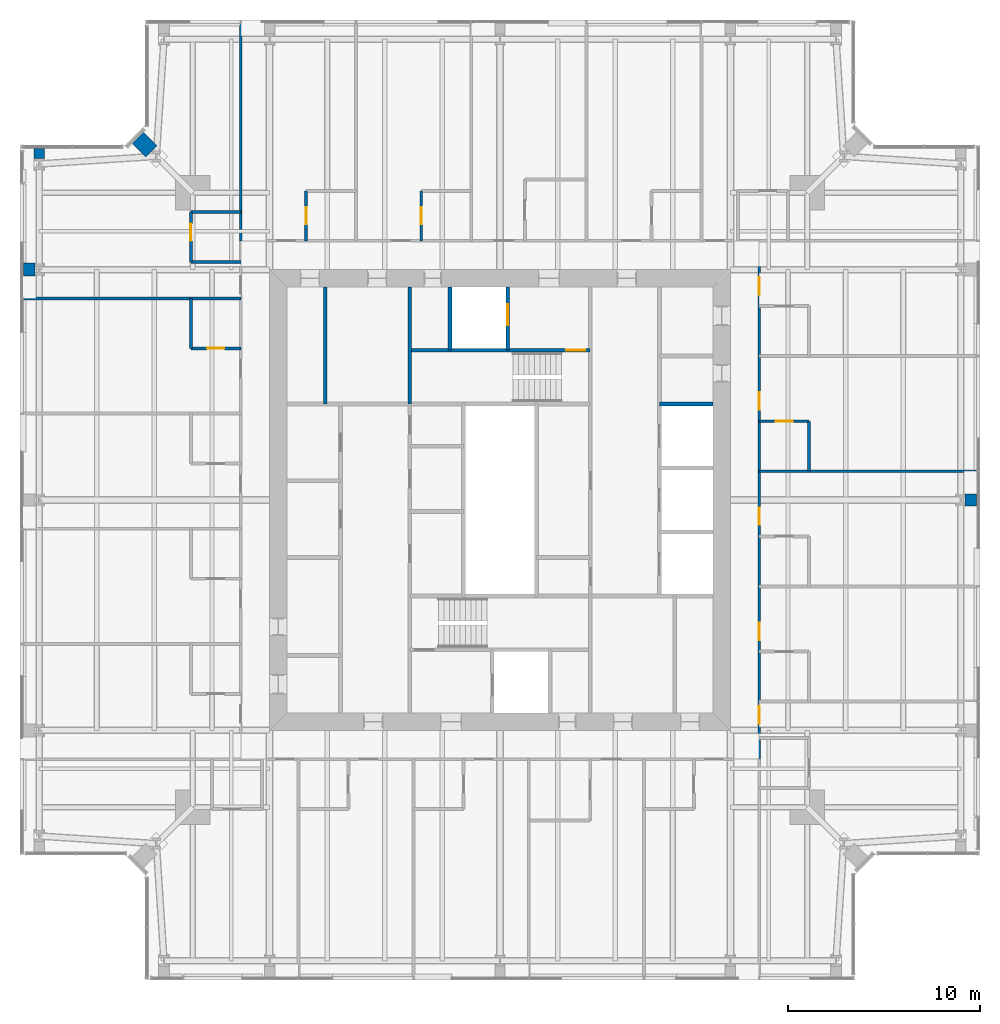
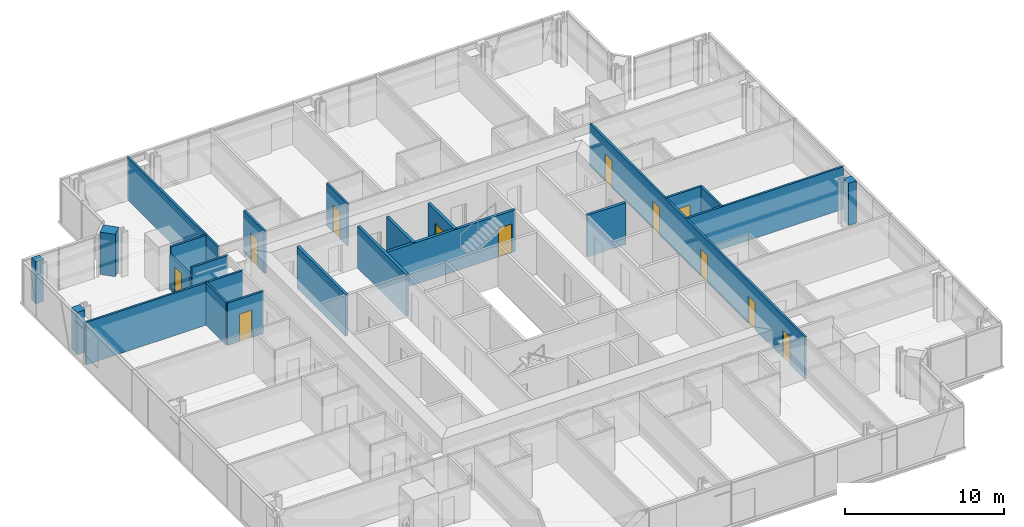
# One storey, part 14 of 20: 23 walls, 12 doors, 12 openings.
"""IFC4 building model written with IfcOpenShell, lengths in metres."""

from ifc_helpers import new_model, si_unit, direction, frame, frame_2d, origin, place, context, subcontext, project, spatial, rectangle, extrude, material, layer, layer_set, type_object, element, fill, save


model = new_model("IFC4")

# Units and contexts
model_context = context("Model", 3, precision=1e-05, world=origin(), true_north=direction((0.0, 1.0)))
body_context = subcontext(model_context, "Body", "Model", "MODEL_VIEW")
ifc_project = project(units=[si_unit("LENGTHUNIT", "METRE"), si_unit("AREAUNIT", "SQUARE_METRE"), si_unit("VOLUMEUNIT", "CUBIC_METRE"), si_unit("PLANEANGLEUNIT", "RADIAN"), si_unit("MASSUNIT", "GRAM", prefix="KILO")], contexts=[model_context])

# Site, building, storey
site_placement = place(None, origin())
site = spatial("IfcSite", under=ifc_project, at=site_placement, CompositionType="ELEMENT")
building_placement = place(site_placement, origin())
building = spatial("IfcBuilding", under=site, at=building_placement, Name="Fenwick Lantern Interchange", CompositionType="ELEMENT")
storey_placement = place(building_placement, frame((0.0, 0.0, 245.800048828125)))
storey = spatial("IfcBuildingStorey", under=building, at=storey_placement, Name="L57", CompositionType="ELEMENT", Elevation=245.800048828125)

# Walls
ifc_material_1 = material(Name="Fire-rated gypsum board encasement on steel studs, 2 hour", Category="steel")
ifc_layer_1 = layer(ifc_material_1, 0.554931640625)
ifc_layer_set_1 = layer_set([ifc_layer_1], Name="COLUMN PIER 555")
wall_type_1 = type_object("IfcWallType", Name="COLUMN PIER 555", PredefinedType="PARTITIONING", material=ifc_layer_set_1)
wall_1_placement = place(storey_placement, frame((1.0, 43.31005859375, 0.0), z_axis=(0.0, 0.0, 1.0), x_axis=(0.0, -1.0, 0.0)))
element("IfcWall", 1, at=wall_1_placement, inside=storey, type_object=wall_type_1, Name="L57/W/PIER/CW1", PredefinedType="PARTITIONING", context=body_context, shape_type="SweptSolid", body=[
    extrude(rectangle(XDim=0.525634765625, YDim=0.554931640625, at=frame_2d((0.2626953125, 0.0))), origin(), (0.0, 0.0, 1.0), 3.25),
])
ifc_layer_2 = layer(ifc_material_1, 0.631103515625)
ifc_layer_set_2 = layer_set([ifc_layer_2], Name="COLUMN PIER 631")
wall_type_2 = type_object("IfcWallType", Name="COLUMN PIER 631", PredefinedType="PARTITIONING", material=ifc_layer_set_2)
wall_2_placement = place(storey_placement, frame((49.81005859375, 25.0, 0.0), z_axis=(0.0, 0.0, 1.0), x_axis=(-1.0, 0.0, 0.0)))
element("IfcWall", 2, at=wall_2_placement, inside=storey, type_object=wall_type_2, Name="L57/W/PIER/CE3", PredefinedType="PARTITIONING", context=body_context, shape_type="SweptSolid", body=[
    extrude(rectangle(XDim=0.589111328125, YDim=0.631103515625, at=frame_2d((0.29443359375, 0.0))), origin(), (0.0, 0.0, 1.0), 3.25),
])
ifc_layer_3 = layer(ifc_material_1, 0.6689453125)
ifc_layer_set_3 = layer_set([ifc_layer_3], Name="COLUMN PIER 669")
wall_type_3 = type_object("IfcWallType", Name="COLUMN PIER 669", PredefinedType="PARTITIONING", material=ifc_layer_set_3)
wall_3_placement = place(storey_placement, frame((0.18994140625, 37.0, 0.0), z_axis=(0.0, 0.0, 1.0), x_axis=(1.0, 0.0, 0.0)))
element("IfcWall", 3, at=wall_3_placement, inside=storey, type_object=wall_type_3, Name="L57/W/PIER/CW2", PredefinedType="PARTITIONING", context=body_context, shape_type="SweptSolid", body=[
    extrude(rectangle(XDim=0.582763671875, YDim=0.6689453125, at=frame_2d((0.29150390625, 0.0))), origin(), (0.0, 0.0, 1.0), 3.25),
])
ifc_layer_4 = layer(ifc_material_1, 0.823974609375)
ifc_layer_set_4 = layer_set([ifc_layer_4], Name="COLUMN PIER 824")
wall_type_4 = type_object("IfcWallType", Name="COLUMN PIER 824", PredefinedType="PARTITIONING", material=ifc_layer_set_4)
wall_4_placement = place(storey_placement, frame((6.13427734375, 43.86572265625, 0.0), z_axis=(0.0, 0.0, 1.0), x_axis=(0.707106781187, -0.707106781187, 0.0)))
element("IfcWall", 4, at=wall_4_placement, inside=storey, type_object=wall_type_4, Name="L57/W/PIER/CNR", PredefinedType="PARTITIONING", context=body_context, shape_type="SweptSolid", body=[
    extrude(rectangle(XDim=1.003662109375, YDim=0.823974609375, at=frame_2d((0.501953125, 0.0))), origin(), (0.0, 0.0, 1.0), 3.25),
])
ifc_material_2 = material(Name="Concrete masonry ASTM C90 Grade N", Category="masonry")
ifc_layer_5 = layer(ifc_material_2, 0.199951171875)
ifc_layer_set_5 = layer_set([ifc_layer_5], Name="Concrete masonry ASTM C90 Grade N")
wall_type_5 = type_object("IfcWallType", Name="CORE PARTITION 200", PredefinedType="PARTITIONING", material=ifc_layer_set_5)
wall_5_placement = place(storey_placement, frame((36.10009765625, 30.0, 0.0), z_axis=(0.0, 0.0, 1.0), x_axis=(-1.0, 0.0, 0.0)))
element("IfcWall", 5, at=wall_5_placement, inside=storey, type_object=wall_type_5, Name="L57/W/COREN/c2", PredefinedType="PARTITIONING", context=body_context, shape_type="SweptSolid", body=[
    extrude(rectangle(XDim=2.800048828125, YDim=0.199951171875, at=frame_2d((1.39990234375, 0.0))), origin(), (0.0, 0.0, 1.0), 3.199951171875),
])

# Wall, opening, door
wall_6_placement = place(storey_placement, frame((25.39990234375, 36.10009765625, 0.0), z_axis=(0.0, 0.0, 1.0), x_axis=(0.0, -1.0, 0.0)))
wall_6 = element("IfcWall", 6, at=wall_6_placement, inside=storey, type_object=wall_type_5, Name="L57/W/COREN/h1", PredefinedType="PARTITIONING", context=body_context, shape_type="SweptSolid", body=[
    extrude(rectangle(XDim=3.300048828125, YDim=0.199951171875, at=frame_2d((1.64990234375, 0.0))), origin(), (0.0, 0.0, 1.0), 3.199951171875),
])
opening_1_placement = place(wall_6_placement, frame((0.89990234375, 0.0, 0.0)))
opening_1 = element("IfcOpeningElement", 7, at=opening_1_placement, cuts=wall_6, Name="Opening LD-FL2", PredefinedType="OPENING", context=body_context, shape_type="SweptSolid", body=[
    extrude(rectangle(XDim=1.10009765625, YDim=2.199951171875, at=frame_2d((0.550048828125, 1.10009765625))), frame((0.0, 0.10986328125, 0.0), z_axis=(0.0, -1.0, 0.0), x_axis=(1.0, 0.0, 0.0)), (0.0, 0.0, 1.0), 0.219970703125),
])
ifc_material_3 = material(Name="Steel door and frame", Category="steel")
door_type_1 = type_object("IfcDoorType", Name="LIFT LANDING DOOR 1100 X 2200", OperationType="DOUBLE_DOOR_SLIDING", PredefinedType="DOOR", material=ifc_material_3)
door_1_placement = place(opening_1_placement, origin())
door_1 = element("IfcDoor", 8, at=door_1_placement, inside=storey, type_object=door_type_1, Name="Lift landing door FL2", OperationType="DOUBLE_DOOR_SLIDING", OverallHeight=2.199951171875, OverallWidth=1.10009765625, PredefinedType="DOOR", context=body_context, shape_type="SweptSolid", body=[
    extrude(rectangle(XDim=1.10009765625, YDim=2.199951171875, at=frame_2d((0.550048828125, 1.10009765625))), frame((0.0, 0.02490234375, 0.0), z_axis=(0.0, -1.0, 0.0), x_axis=(1.0, 0.0, 0.0)), (0.0, 0.0, 1.0), 0.050048828125),
])
fill(opening_1, door_1)

# Walls
wall_7_placement = place(storey_placement, frame((22.39990234375, 36.10009765625, 0.0), z_axis=(0.0, 0.0, 1.0), x_axis=(0.0, -1.0, 0.0)))
element("IfcWall", 9, at=wall_7_placement, inside=storey, type_object=wall_type_5, Name="L57/W/COREN/h2", PredefinedType="PARTITIONING", context=body_context, shape_type="SweptSolid", body=[
    extrude(rectangle(XDim=3.300048828125, YDim=0.199951171875, at=frame_2d((1.64990234375, 0.0))), origin(), (0.0, 0.0, 1.0), 3.199951171875),
])
wall_8_placement = place(storey_placement, frame((15.89990234375, 36.10009765625, 0.0), z_axis=(0.0, 0.0, 1.0), x_axis=(0.0, -1.0, 0.0)))
element("IfcWall", 10, at=wall_8_placement, inside=storey, type_object=wall_type_5, Name="L57/W/COREN/i2", PredefinedType="PARTITIONING", context=body_context, shape_type="SweptSolid", body=[
    extrude(rectangle(XDim=6.10009765625, YDim=0.199951171875, at=frame_2d((3.050048828125, 0.0))), origin(), (0.0, 0.0, 1.0), 3.199951171875),
])

# Wall, openings, doors
ifc_material_4 = material(Name="Gypsum board on steel studs, 1 hour", Category="steel")
ifc_layer_6 = layer(ifc_material_4, 0.14990234375)
ifc_layer_set_6 = layer_set([ifc_layer_6], Name="CORRIDOR WALL 150")
wall_type_6 = type_object("IfcWallType", Name="CORRIDOR WALL 150", PredefinedType="PARTITIONING", material=ifc_layer_set_6)
wall_9_placement = place(storey_placement, frame((38.5, 11.5, 0.0), z_axis=(0.0, 0.0, 1.0), x_axis=(0.0, 1.0, 0.0)))
wall_9 = element("IfcWall", 11, at=wall_9_placement, inside=storey, type_object=wall_type_6, Name="L57/W/HOTEL/E/CW", PredefinedType="PARTITIONING", context=body_context, shape_type="SweptSolid", body=[
    extrude(rectangle(XDim=27.0, YDim=0.14990234375, at=frame_2d((13.5, 0.0))), origin(), (0.0, 0.0, 1.0), 3.25),
])
opening_2_placement = place(wall_9_placement, frame((1.85009765625, 0.0, 0.0)))
opening_2 = element("IfcOpeningElement", 12, at=opening_2_placement, cuts=wall_9, Name="Opening L57-D034", PredefinedType="OPENING", context=body_context, shape_type="SweptSolid", body=[
    extrude(rectangle(XDim=0.89990234375, YDim=2.10009765625, at=frame_2d((0.449951171875, 1.050048828125))), frame((0.0, 0.0849609375, 0.0), z_axis=(0.0, -1.0, 0.0), x_axis=(1.0, 0.0, 0.0)), (0.0, 0.0, 1.0), 0.169921875),
])
opening_3_placement = place(wall_9_placement, frame((6.199951171875, 0.0, 0.0)))
opening_3 = element("IfcOpeningElement", 13, at=opening_3_placement, cuts=wall_9, Name="Opening L57-D037", PredefinedType="OPENING", context=body_context, shape_type="SweptSolid", body=[
    extrude(rectangle(XDim=0.89990234375, YDim=2.10009765625, at=frame_2d((0.449951171875, 1.050048828125))), frame((0.0, 0.0849609375, 0.0), z_axis=(0.0, -1.0, 0.0), x_axis=(1.0, 0.0, 0.0)), (0.0, 0.0, 1.0), 0.169921875),
])
opening_4_placement = place(wall_9_placement, frame((12.199951171875, 0.0, 0.0)))
opening_4 = element("IfcOpeningElement", 14, at=opening_4_placement, cuts=wall_9, Name="Opening L57-D039", PredefinedType="OPENING", context=body_context, shape_type="SweptSolid", body=[
    extrude(rectangle(XDim=0.89990234375, YDim=2.10009765625, at=frame_2d((0.449951171875, 1.050048828125))), frame((0.0, 0.0849609375, 0.0), z_axis=(0.0, -1.0, 0.0), x_axis=(1.0, 0.0, 0.0)), (0.0, 0.0, 1.0), 0.169921875),
])
opening_5_placement = place(wall_9_placement, frame((18.199951171875, 0.0, 0.0)))
opening_5 = element("IfcOpeningElement", 15, at=opening_5_placement, cuts=wall_9, Name="Opening L57-D041", PredefinedType="OPENING", context=body_context, shape_type="SweptSolid", body=[
    extrude(rectangle(XDim=0.89990234375, YDim=2.10009765625, at=frame_2d((0.449951171875, 1.050048828125))), frame((0.0, 0.0849609375, 0.0), z_axis=(0.0, -1.0, 0.0), x_axis=(1.0, 0.0, 0.0)), (0.0, 0.0, 1.0), 0.169921875),
])
opening_6_placement = place(wall_9_placement, frame((24.199951171875, 0.0, 0.0)))
opening_6 = element("IfcOpeningElement", 16, at=opening_6_placement, cuts=wall_9, Name="Opening L57-D043", PredefinedType="OPENING", context=body_context, shape_type="SweptSolid", body=[
    extrude(rectangle(XDim=0.89990234375, YDim=2.10009765625, at=frame_2d((0.449951171875, 1.050048828125))), frame((0.0, 0.0849609375, 0.0), z_axis=(0.0, -1.0, 0.0), x_axis=(1.0, 0.0, 0.0)), (0.0, 0.0, 1.0), 0.169921875),
])
door_type_2 = type_object("IfcDoorType", Name="GUEST ROOM DOOR 900 X 2100", OperationType="SINGLE_SWING_LEFT", PredefinedType="DOOR", material=ifc_material_3)
door_2_placement = place(opening_2_placement, frame((0.89990234375, 0.0, 0.0), z_axis=(0.0, 0.0, 1.0), x_axis=(-1.0, 0.0, 0.0)))
door_2 = element("IfcDoor", 17, at=door_2_placement, inside=storey, type_object=door_type_2, Name="Guest room door", OperationType="SINGLE_SWING_LEFT", OverallHeight=2.10009765625, OverallWidth=0.89990234375, PredefinedType="DOOR", context=body_context, shape_type="SweptSolid", body=[
    extrude(rectangle(XDim=0.89990234375, YDim=2.10009765625, at=frame_2d((0.449951171875, 1.050048828125))), frame((0.0, 0.02490234375, 0.0), z_axis=(0.0, -1.0, 0.0), x_axis=(1.0, 0.0, 0.0)), (0.0, 0.0, 1.0), 0.050048828125),
])
fill(opening_2, door_2)
door_3_placement = place(opening_3_placement, frame((0.89990234375, 0.0, 0.0), z_axis=(0.0, 0.0, 1.0), x_axis=(-1.0, 0.0, 0.0)))
door_3 = element("IfcDoor", 18, at=door_3_placement, inside=storey, type_object=door_type_2, Name="Guest room door", OperationType="SINGLE_SWING_RIGHT", OverallHeight=2.10009765625, OverallWidth=0.89990234375, PredefinedType="DOOR", context=body_context, shape_type="SweptSolid", body=[
    extrude(rectangle(XDim=0.89990234375, YDim=2.10009765625, at=frame_2d((0.449951171875, 1.050048828125))), frame((0.0, 0.02490234375, 0.0), z_axis=(0.0, -1.0, 0.0), x_axis=(1.0, 0.0, 0.0)), (0.0, 0.0, 1.0), 0.050048828125),
])
fill(opening_3, door_3)
door_4_placement = place(opening_4_placement, frame((0.89990234375, 0.0, 0.0), z_axis=(0.0, 0.0, 1.0), x_axis=(-1.0, 0.0, 0.0)))
door_4 = element("IfcDoor", 19, at=door_4_placement, inside=storey, type_object=door_type_2, Name="Guest room door", OperationType="SINGLE_SWING_RIGHT", OverallHeight=2.10009765625, OverallWidth=0.89990234375, PredefinedType="DOOR", context=body_context, shape_type="SweptSolid", body=[
    extrude(rectangle(XDim=0.89990234375, YDim=2.10009765625, at=frame_2d((0.449951171875, 1.050048828125))), frame((0.0, 0.02490234375, 0.0), z_axis=(0.0, -1.0, 0.0), x_axis=(1.0, 0.0, 0.0)), (0.0, 0.0, 1.0), 0.050048828125),
])
fill(opening_4, door_4)
door_5_placement = place(opening_5_placement, frame((0.89990234375, 0.0, 0.0), z_axis=(0.0, 0.0, 1.0), x_axis=(-1.0, 0.0, 0.0)))
door_5 = element("IfcDoor", 20, at=door_5_placement, inside=storey, type_object=door_type_2, Name="Guest room door", OperationType="SINGLE_SWING_RIGHT", OverallHeight=2.10009765625, OverallWidth=0.89990234375, PredefinedType="DOOR", context=body_context, shape_type="SweptSolid", body=[
    extrude(rectangle(XDim=0.89990234375, YDim=2.10009765625, at=frame_2d((0.449951171875, 1.050048828125))), frame((0.0, 0.02490234375, 0.0), z_axis=(0.0, -1.0, 0.0), x_axis=(1.0, 0.0, 0.0)), (0.0, 0.0, 1.0), 0.050048828125),
])
fill(opening_5, door_5)
door_6_placement = place(opening_6_placement, frame((0.89990234375, 0.0, 0.0), z_axis=(0.0, 0.0, 1.0), x_axis=(-1.0, 0.0, 0.0)))
door_6 = element("IfcDoor", 21, at=door_6_placement, inside=storey, type_object=door_type_2, Name="Guest room door", OperationType="SINGLE_SWING_RIGHT", OverallHeight=2.10009765625, OverallWidth=0.89990234375, PredefinedType="DOOR", context=body_context, shape_type="SweptSolid", body=[
    extrude(rectangle(XDim=0.89990234375, YDim=2.10009765625, at=frame_2d((0.449951171875, 1.050048828125))), frame((0.0, 0.02490234375, 0.0), z_axis=(0.0, -1.0, 0.0), x_axis=(1.0, 0.0, 0.0)), (0.0, 0.0, 1.0), 0.050048828125),
])
fill(opening_6, door_6)

# Wall
ifc_material_5 = material(Name="Gypsum board on steel studs, moisture resistant", Category="steel")
ifc_layer_7 = layer(ifc_material_5, 0.14990234375)
ifc_layer_set_7 = layer_set([ifc_layer_7], Name="EN-SUITE WALL 150")
wall_type_7 = type_object("IfcWallType", Name="EN-SUITE WALL 150", PredefinedType="PARTITIONING", material=ifc_layer_set_7)
wall_10_placement = place(storey_placement, frame((41.10009765625, 26.5, 0.0), z_axis=(0.0, 0.0, 1.0), x_axis=(0.0, 1.0, 0.0)))
element("IfcWall", 22, at=wall_10_placement, inside=storey, type_object=wall_type_7, Name="L57/W/HOTEL/E/U4BW", PredefinedType="PARTITIONING", context=body_context, shape_type="SweptSolid", body=[
    extrude(rectangle(XDim=2.60009765625, YDim=0.14990234375, at=frame_2d((1.300048828125, 0.0))), origin(), (0.0, 0.0, 1.0), 3.25),
])

# Wall, opening, door
wall_11_placement = place(storey_placement, frame((41.10009765625, 29.10009765625, 0.0), z_axis=(0.0, 0.0, 1.0), x_axis=(-1.0, 0.0, 0.0)))
wall_11 = element("IfcWall", 23, at=wall_11_placement, inside=storey, type_object=wall_type_7, Name="L57/W/HOTEL/E/U4BX", PredefinedType="PARTITIONING", context=body_context, shape_type="SweptSolid", body=[
    extrude(rectangle(XDim=2.60009765625, YDim=0.14990234375, at=frame_2d((1.300048828125, 0.0))), origin(), (0.0, 0.0, 1.0), 3.25),
])
opening_7_placement = place(wall_11_placement, frame((0.85009765625, 0.0, 0.0)))
opening_7 = element("IfcOpeningElement", 24, at=opening_7_placement, cuts=wall_11, Name="Opening L57-D040", PredefinedType="OPENING", context=body_context, shape_type="SweptSolid", body=[
    extrude(rectangle(XDim=0.89990234375, YDim=2.10009765625, at=frame_2d((0.449951171875, 1.050048828125))), frame((0.0, 0.0849609375, 0.0), z_axis=(0.0, -1.0, 0.0), x_axis=(1.0, 0.0, 0.0)), (0.0, 0.0, 1.0), 0.169921875),
])
ifc_material_6 = material(Name="Hardwood door and steel frame", Category="steel")
door_type_3 = type_object("IfcDoorType", Name="EN-SUITE DOOR 900 X 2100", OperationType="SINGLE_SWING_LEFT", PredefinedType="DOOR", material=ifc_material_6)
door_7_placement = place(opening_7_placement, origin())
door_7 = element("IfcDoor", 25, at=door_7_placement, inside=storey, type_object=door_type_3, Name="En-suite door", OperationType="SINGLE_SWING_LEFT", OverallHeight=2.10009765625, OverallWidth=0.89990234375, PredefinedType="DOOR", context=body_context, shape_type="SweptSolid", body=[
    extrude(rectangle(XDim=0.89990234375, YDim=2.10009765625, at=frame_2d((0.449951171875, 1.050048828125))), frame((0.0, 0.02490234375, 0.0), z_axis=(0.0, -1.0, 0.0), x_axis=(1.0, 0.0, 0.0)), (0.0, 0.0, 1.0), 0.050048828125),
])
fill(opening_7, door_7)

wall_12_placement = place(storey_placement, frame((20.89990234375, 41.10009765625, 0.0), z_axis=(0.0, 0.0, 1.0), x_axis=(0.0, -1.0, 0.0)))
wall_12 = element("IfcWall", 26, at=wall_12_placement, inside=storey, type_object=wall_type_7, Name="L57/W/HOTEL/N/U4BX", PredefinedType="PARTITIONING", context=body_context, shape_type="SweptSolid", body=[
    extrude(rectangle(XDim=2.60009765625, YDim=0.14990234375, at=frame_2d((1.300048828125, 0.0))), origin(), (0.0, 0.0, 1.0), 3.25),
])
opening_8_placement = place(wall_12_placement, frame((0.85009765625, 0.0, 0.0)))
opening_8 = element("IfcOpeningElement", 27, at=opening_8_placement, cuts=wall_12, Name="Opening L57-D050", PredefinedType="OPENING", context=body_context, shape_type="SweptSolid", body=[
    extrude(rectangle(XDim=0.89990234375, YDim=2.10009765625, at=frame_2d((0.449951171875, 1.050048828125))), frame((0.0, 0.0849609375, 0.0), z_axis=(0.0, -1.0, 0.0), x_axis=(1.0, 0.0, 0.0)), (0.0, 0.0, 1.0), 0.169921875),
])
door_8_placement = place(opening_8_placement, origin())
door_8 = element("IfcDoor", 28, at=door_8_placement, inside=storey, type_object=door_type_3, Name="En-suite door", OperationType="SINGLE_SWING_LEFT", OverallHeight=2.10009765625, OverallWidth=0.89990234375, PredefinedType="DOOR", context=body_context, shape_type="SweptSolid", body=[
    extrude(rectangle(XDim=0.89990234375, YDim=2.10009765625, at=frame_2d((0.449951171875, 1.050048828125))), frame((0.0, 0.02490234375, 0.0), z_axis=(0.0, -1.0, 0.0), x_axis=(1.0, 0.0, 0.0)), (0.0, 0.0, 1.0), 0.050048828125),
])
fill(opening_8, door_8)

wall_13_placement = place(storey_placement, frame((14.89990234375, 41.10009765625, 0.0), z_axis=(0.0, 0.0, 1.0), x_axis=(0.0, -1.0, 0.0)))
wall_13 = element("IfcWall", 29, at=wall_13_placement, inside=storey, type_object=wall_type_7, Name="L57/W/HOTEL/N/U5BX", PredefinedType="PARTITIONING", context=body_context, shape_type="SweptSolid", body=[
    extrude(rectangle(XDim=2.60009765625, YDim=0.14990234375, at=frame_2d((1.300048828125, 0.0))), origin(), (0.0, 0.0, 1.0), 3.25),
])
opening_9_placement = place(wall_13_placement, frame((0.85009765625, 0.0, 0.0)))
opening_9 = element("IfcOpeningElement", 30, at=opening_9_placement, cuts=wall_13, Name="Opening L57-D052", PredefinedType="OPENING", context=body_context, shape_type="SweptSolid", body=[
    extrude(rectangle(XDim=0.89990234375, YDim=2.10009765625, at=frame_2d((0.449951171875, 1.050048828125))), frame((0.0, 0.0849609375, 0.0), z_axis=(0.0, -1.0, 0.0), x_axis=(1.0, 0.0, 0.0)), (0.0, 0.0, 1.0), 0.169921875),
])
door_9_placement = place(opening_9_placement, origin())
door_9 = element("IfcDoor", 31, at=door_9_placement, inside=storey, type_object=door_type_3, Name="En-suite door", OperationType="SINGLE_SWING_LEFT", OverallHeight=2.10009765625, OverallWidth=0.89990234375, PredefinedType="DOOR", context=body_context, shape_type="SweptSolid", body=[
    extrude(rectangle(XDim=0.89990234375, YDim=2.10009765625, at=frame_2d((0.449951171875, 1.050048828125))), frame((0.0, 0.02490234375, 0.0), z_axis=(0.0, -1.0, 0.0), x_axis=(1.0, 0.0, 0.0)), (0.0, 0.0, 1.0), 0.050048828125),
])
fill(opening_9, door_9)

wall_14_placement = place(storey_placement, frame((8.89990234375, 40.0, 0.0), z_axis=(0.0, 0.0, 1.0), x_axis=(0.0, -1.0, 0.0)))
wall_14 = element("IfcWall", 32, at=wall_14_placement, inside=storey, type_object=wall_type_7, Name="L57/W/HOTEL/W/U1BW", PredefinedType="PARTITIONING", context=body_context, shape_type="SweptSolid", body=[
    extrude(rectangle(XDim=2.60009765625, YDim=0.14990234375, at=frame_2d((1.300048828125, 0.0))), origin(), (0.0, 0.0, 1.0), 2.6376953125),
])
opening_10_placement = place(wall_14_placement, frame((0.60009765625, 0.0, 0.0)))
opening_10 = element("IfcOpeningElement", 33, at=opening_10_placement, cuts=wall_14, Name="Opening L57-D055", PredefinedType="OPENING", context=body_context, shape_type="SweptSolid", body=[
    extrude(rectangle(XDim=0.89990234375, YDim=2.10009765625, at=frame_2d((0.449951171875, 1.050048828125))), frame((0.0, 0.0849609375, 0.0), z_axis=(0.0, -1.0, 0.0), x_axis=(1.0, 0.0, 0.0)), (0.0, 0.0, 1.0), 0.169921875),
])
door_10_placement = place(opening_10_placement, origin())
door_10 = element("IfcDoor", 34, at=door_10_placement, inside=storey, type_object=door_type_3, Name="En-suite door", OperationType="SINGLE_SWING_LEFT", OverallHeight=2.10009765625, OverallWidth=0.89990234375, PredefinedType="DOOR", context=body_context, shape_type="SweptSolid", body=[
    extrude(rectangle(XDim=0.89990234375, YDim=2.10009765625, at=frame_2d((0.449951171875, 1.050048828125))), frame((0.0, 0.02490234375, 0.0), z_axis=(0.0, -1.0, 0.0), x_axis=(1.0, 0.0, 0.0)), (0.0, 0.0, 1.0), 0.050048828125),
])
fill(opening_10, door_10)

# Walls
for number, where, z_axis, x_axis, name in (
    (35, (8.89990234375, 40.0, 0.0), (0.0, 0.0, 1.0), (1.0, 0.0, 0.0), "L57/W/HOTEL/W/U1BX"),
    (36, (8.89990234375, 37.39990234375, 0.0), (0.0, 0.0, 1.0), (1.0, 0.0, 0.0), "L57/W/HOTEL/W/U1BE"),
    (37, (8.89990234375, 35.5, 0.0), (0.0, 0.0, 1.0), (0.0, -1.0, 0.0), "L57/W/HOTEL/W/U2BW"),
):
    element("IfcWall", number, at=place(storey_placement, frame(where, z_axis=z_axis, x_axis=x_axis)), inside=storey, type_object=wall_type_7, Name=name, PredefinedType="PARTITIONING", context=body_context, shape_type="SweptSolid", body=[
        extrude(rectangle(XDim=2.60009765625, YDim=0.14990234375, at=frame_2d((1.300048828125, 0.0))), origin(), (0.0, 0.0, 1.0), 3.25),
    ])

# Wall, opening, door
wall_15_placement = place(storey_placement, frame((8.89990234375, 32.89990234375, 0.0), z_axis=(0.0, 0.0, 1.0), x_axis=(1.0, 0.0, 0.0)))
wall_15 = element("IfcWall", 38, at=wall_15_placement, inside=storey, type_object=wall_type_7, Name="L57/W/HOTEL/W/U2BX", PredefinedType="PARTITIONING", context=body_context, shape_type="SweptSolid", body=[
    extrude(rectangle(XDim=2.60009765625, YDim=0.14990234375, at=frame_2d((1.300048828125, 0.0))), origin(), (0.0, 0.0, 1.0), 3.25),
])
opening_11_placement = place(wall_15_placement, frame((0.85009765625, 0.0, 0.0)))
opening_11 = element("IfcOpeningElement", 39, at=opening_11_placement, cuts=wall_15, Name="Opening L57-D056", PredefinedType="OPENING", context=body_context, shape_type="SweptSolid", body=[
    extrude(rectangle(XDim=0.89990234375, YDim=2.10009765625, at=frame_2d((0.449951171875, 1.050048828125))), frame((0.0, 0.0849609375, 0.0), z_axis=(0.0, -1.0, 0.0), x_axis=(1.0, 0.0, 0.0)), (0.0, 0.0, 1.0), 0.169921875),
])
door_11_placement = place(opening_11_placement, origin())
door_11 = element("IfcDoor", 40, at=door_11_placement, inside=storey, type_object=door_type_3, Name="En-suite door", OperationType="SINGLE_SWING_LEFT", OverallHeight=2.10009765625, OverallWidth=0.89990234375, PredefinedType="DOOR", context=body_context, shape_type="SweptSolid", body=[
    extrude(rectangle(XDim=0.89990234375, YDim=2.10009765625, at=frame_2d((0.449951171875, 1.050048828125))), frame((0.0, 0.02490234375, 0.0), z_axis=(0.0, -1.0, 0.0), x_axis=(1.0, 0.0, 0.0)), (0.0, 0.0, 1.0), 0.050048828125),
])
fill(opening_11, door_11)

# Walls
ifc_material_7 = material(Name="Gypsum board on steel studs, 1 hour acoustic", Category="steel")
ifc_layer_8 = layer(ifc_material_7, 0.14990234375)
ifc_layer_set_8 = layer_set([ifc_layer_8], Name="PARTY WALL 150")
wall_type_8 = type_object("IfcWallType", Name="PARTY WALL 150", PredefinedType="PARTITIONING", material=ifc_layer_set_8)
for number, where, z_axis, x_axis, name in (
    (41, (49.85009765625, 26.5, 0.0), (0.0, 0.0, 1.0), (-1.0, 0.0, 0.0), "L57/W/HOTEL/E/U4PW"),
    (42, (11.5, 49.85009765625, 0.0), (0.0, 0.0, 1.0), (0.0, -1.0, 0.0), "L57/W/HOTEL/W/SW3"),
    (43, (0.14990234375, 35.5, 0.0), (0.0, 0.0, 1.0), (1.0, 0.0, 0.0), "L57/W/HOTEL/W/U2PW"),
):
    element("IfcWall", number, at=place(storey_placement, frame(where, z_axis=z_axis, x_axis=x_axis)), inside=storey, type_object=wall_type_8, Name=name, PredefinedType="PARTITIONING", context=body_context, shape_type="SweptSolid", body=[
        extrude(rectangle(XDim=11.35009765625, YDim=0.14990234375, at=frame_2d((5.675048828125, 0.0))), origin(), (0.0, 0.0, 1.0), 3.25),
    ])

# Wall, opening, door
ifc_material_8 = material(Name="Concrete f'c 45 MPa", Category="concrete")
ifc_layer_9 = layer(ifc_material_8, 0.199951171875)
ifc_layer_set_9 = layer_set([ifc_layer_9], Name="STAIR CORE WALL 200")
wall_type_9 = type_object("IfcWallType", Name="STAIR CORE WALL 200", PredefinedType="SOLIDWALL", material=ifc_layer_set_9)
wall_16_placement = place(storey_placement, frame((29.699951171875, 32.800048828125, 0.0), z_axis=(0.0, 0.0, 1.0), x_axis=(-1.0, 0.0, 0.0)))
wall_16 = element("IfcWall", 44, at=wall_16_placement, inside=storey, type_object=wall_type_9, Name="L57/W/COREN/g1", PredefinedType="SOLIDWALL", context=body_context, shape_type="SweptSolid", body=[
    extrude(rectangle(XDim=9.39990234375, YDim=0.199951171875, at=frame_2d((4.699951171875, 0.0))), origin(), (0.0, 0.0, 1.0), 3.199951171875),
])
opening_12_placement = place(wall_16_placement, frame((0.25, 0.0, 0.0)))
opening_12 = element("IfcOpeningElement", 45, at=opening_12_placement, cuts=wall_16, Name="Opening L57-D016", PredefinedType="OPENING", context=body_context, shape_type="SweptSolid", body=[
    extrude(rectangle(XDim=1.0, YDim=2.199951171875, at=frame_2d((0.5, 1.10009765625))), frame((0.0, 0.10986328125, 0.0), z_axis=(0.0, -1.0, 0.0), x_axis=(1.0, 0.0, 0.0)), (0.0, 0.0, 1.0), 0.219970703125),
])
door_type_4 = type_object("IfcDoorType", Name="STAIR DOOR 1000 X 2200", OperationType="SINGLE_SWING_LEFT", PredefinedType="DOOR", material=ifc_material_3)
door_12_placement = place(opening_12_placement, origin())
door_12 = element("IfcDoor", 46, at=door_12_placement, inside=storey, type_object=door_type_4, Name="Stair door", OperationType="SINGLE_SWING_LEFT", OverallHeight=2.199951171875, OverallWidth=1.0, PredefinedType="DOOR", context=body_context, shape_type="SweptSolid", body=[
    extrude(rectangle(XDim=1.0, YDim=2.199951171875, at=frame_2d((0.5, 1.10009765625))), frame((0.0, 0.02490234375, 0.0), z_axis=(0.0, -1.0, 0.0), x_axis=(1.0, 0.0, 0.0)), (0.0, 0.0, 1.0), 0.050048828125),
])
fill(opening_12, door_12)

# Wall
wall_17_placement = place(storey_placement, frame((20.300048828125, 36.10009765625, 0.0), z_axis=(0.0, 0.0, 1.0), x_axis=(0.0, -1.0, 0.0)))
element("IfcWall", 47, at=wall_17_placement, inside=storey, type_object=wall_type_9, Name="L57/W/COREN/i1", PredefinedType="SOLIDWALL", context=body_context, shape_type="SweptSolid", body=[
    extrude(rectangle(XDim=6.10009765625, YDim=0.199951171875, at=frame_2d((3.050048828125, 0.0))), origin(), (0.0, 0.0, 1.0), 3.199951171875),
])

save(model, "model.ifc")
